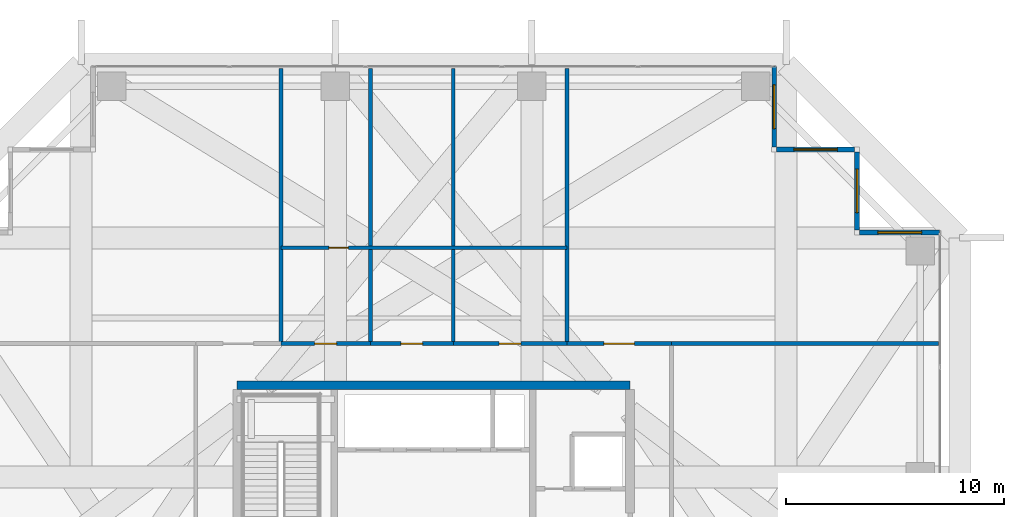
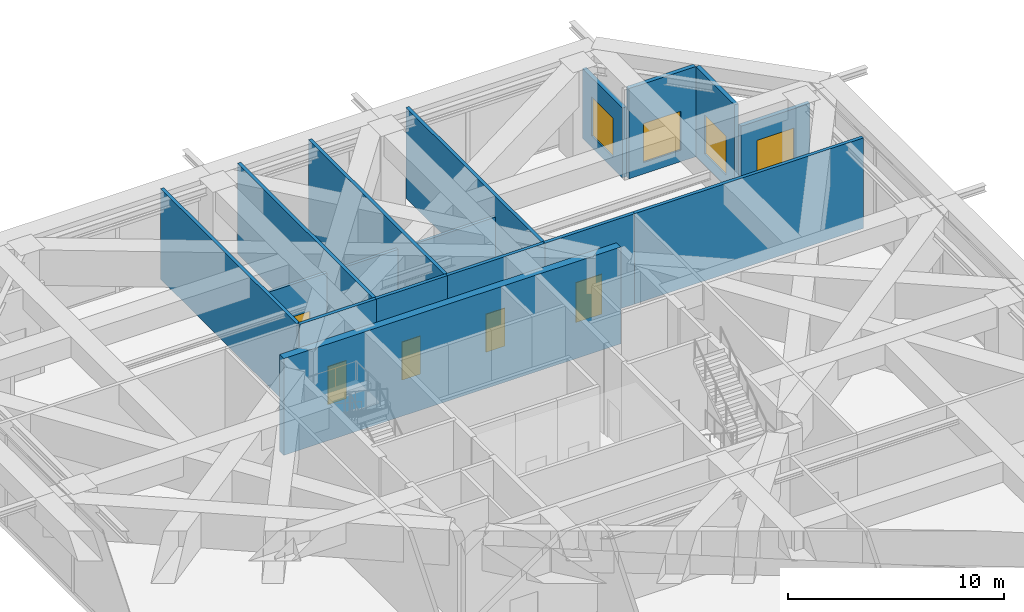
# One storey, part 33 of 38: 15 walls, 5 doors, 4 windows, 9 openings.
"""IFC4 building model written with IfcOpenShell, lengths in metres."""

from ifc_helpers import new_model, si_unit, direction, frame, frame_2d, origin, place, context, subcontext, project, spatial, rectangle, extrude, source, transform, mapped, material, layer, layer_set, type_object, element, fill, save


model = new_model("IFC4")

# Units and contexts
model_context = context("Model", 3, precision=1e-05, world=origin(), true_north=direction((0.0, 1.0)))
body_context = subcontext(model_context, "Body", "Model", "MODEL_VIEW")
ifc_project = project(units=[si_unit("LENGTHUNIT", "METRE"), si_unit("AREAUNIT", "SQUARE_METRE"), si_unit("VOLUMEUNIT", "CUBIC_METRE"), si_unit("PLANEANGLEUNIT", "RADIAN"), si_unit("MASSUNIT", "GRAM", prefix="KILO")], contexts=[model_context])

# Site, building, storey
site_placement = place(None, origin())
site = spatial("IfcSite", under=ifc_project, at=site_placement, CompositionType="ELEMENT")
building_placement = place(site_placement, origin())
building = spatial("IfcBuilding", under=site, at=building_placement, Name="Serunith Strait Residences", CompositionType="ELEMENT")
storey_placement = place(building_placement, frame((0.0, 0.0, 204.89990234375)))
storey = spatial("IfcBuildingStorey", under=building, at=storey_placement, Name="L51", CompositionType="ELEMENT", Elevation=204.89990234375)

# Wall, opening, window
ifc_material_1 = material(Name="Pale-Champagne Aluminium Insulated Panel", Category="aluminium")
ifc_layer_1 = layer(ifc_material_1, 0.219970703125, Name="Pale-Champagne Aluminium Insulated Panel")
ifc_layer_set_1 = layer_set([ifc_layer_1], Name="Pale-Champagne Aluminium Insulated Panel")
wall_type_1 = type_object("IfcWallType", Name="EW-ALUM-220", PredefinedType="ELEMENTEDWALL", material=ifc_layer_set_1)
wall_1_placement = place(storey_placement, frame((55.60009765625, 40.60009765625, 0.0), z_axis=(0.0, 0.0, 1.0), x_axis=(-1.0, 0.0, 0.0)))
wall_1 = element("IfcWall", 1, at=wall_1_placement, inside=storey, type_object=wall_type_1, Name="L51 Girih Serrated Corner Wall 07", PredefinedType="ELEMENTEDWALL", context=body_context, shape_type="SweptSolid", body=[
    extrude(rectangle(XDim=3.690185546875, YDim=0.219970703125, at=frame_2d((1.84521484375, 0.0))), origin(), (0.0, 0.0, 1.0), 3.945068359375),
])
opening_1_placement = place(wall_1_placement, frame((0.844970703125, 0.0, 0.64990234375)))
opening_1 = element("IfcOpeningElement", 2, at=opening_1_placement, cuts=wall_1, Name="Opening W-04", PredefinedType="OPENING", context=body_context, shape_type="SweptSolid", body=[
    extrude(rectangle(XDim=2.0, YDim=2.199951171875, at=frame_2d((1.0, 1.10009765625))), frame((0.0, 0.1201171875, 0.0), z_axis=(0.0, -1.0, 0.0), x_axis=(1.0, 0.0, 0.0)), (0.0, 0.0, 1.0), 0.239990234375),
])
ifc_material_2 = material(Name="Ceramic-Fritted Operable Aluminium Window Glass", Category="aluminium")
window_type = type_object("IfcWindowType", Name="WIN-C4", PartitioningType="TRIPLE_PANEL_VERTICAL", PredefinedType="WINDOW", material=ifc_material_2)
shared_shape_1 = source(origin(), body_context, "Body", "SweptSolid", [
    extrude(rectangle(XDim=2.0, YDim=2.199951171875, at=frame_2d((1.0, 1.10009765625))), frame((0.0, 0.030029296875, 0.0), z_axis=(0.0, -1.0, 0.0), x_axis=(1.0, 0.0, 0.0)), (0.0, 0.0, 1.0), 0.06005859375),
])
window_1_placement = place(opening_1_placement, origin())
window_1 = element("IfcWindow", 3, at=window_1_placement, inside=storey, type_object=window_type, Name="L51 Corner Operable Fritted Window 07", OverallHeight=2.199951171875, OverallWidth=2.0, PartitioningType="SINGLE_PANEL", PredefinedType="WINDOW", context=body_context, shape_type="MappedRepresentation", body=[
    mapped(shared_shape_1, transform((0.0, 0.0, 0.0), scale=1.0)),
])
fill(opening_1, window_1)

wall_2_placement = place(storey_placement, frame((51.800048828125, 40.7099609375, 0.0), z_axis=(0.0, 0.0, 1.0), x_axis=(0.0, 1.0, 0.0)))
wall_2 = element("IfcWall", 4, at=wall_2_placement, inside=storey, type_object=wall_type_1, Name="L51 Girih Serrated Corner Wall 08", PredefinedType="ELEMENTEDWALL", context=body_context, shape_type="SweptSolid", body=[
    extrude(rectangle(XDim=3.580078125, YDim=0.219970703125, at=frame_2d((1.7900390625, 0.0))), origin(), (0.0, 0.0, 1.0), 5.09521484375),
])
opening_2_placement = place(wall_2_placement, frame((0.7900390625, 0.0, 0.64990234375)))
opening_2 = element("IfcOpeningElement", 5, at=opening_2_placement, cuts=wall_2, Name="Opening W-04", PredefinedType="OPENING", context=body_context, shape_type="SweptSolid", body=[
    extrude(rectangle(XDim=2.0, YDim=2.199951171875, at=frame_2d((1.0, 1.10009765625))), frame((0.0, 0.1201171875, 0.0), z_axis=(0.0, -1.0, 0.0), x_axis=(1.0, 0.0, 0.0)), (0.0, 0.0, 1.0), 0.239990234375),
])
window_2_placement = place(opening_2_placement, origin())
window_2 = element("IfcWindow", 6, at=window_2_placement, inside=storey, type_object=window_type, Name="L51 Corner Operable Fritted Window 08", OverallHeight=2.199951171875, OverallWidth=2.0, PartitioningType="SINGLE_PANEL", PredefinedType="WINDOW", context=body_context, shape_type="MappedRepresentation", body=[
    mapped(shared_shape_1, transform((0.0, 0.0, 0.0), scale=1.0)),
])
fill(opening_2, window_2)

wall_3_placement = place(storey_placement, frame((51.68994140625, 44.39990234375, 0.0), z_axis=(0.0, 0.0, 1.0), x_axis=(-1.0, 0.0, 0.0)))
wall_3 = element("IfcWall", 7, at=wall_3_placement, inside=storey, type_object=wall_type_1, Name="L51 Girih Serrated Corner Wall 09", PredefinedType="ELEMENTEDWALL", context=body_context, shape_type="SweptSolid", body=[
    extrude(rectangle(XDim=3.579833984375, YDim=0.219970703125, at=frame_2d((1.7900390625, 0.0))), origin(), (0.0, 0.0, 1.0), 5.09521484375),
])
opening_3_placement = place(wall_3_placement, frame((0.7900390625, 0.0, 0.64990234375)))
opening_3 = element("IfcOpeningElement", 8, at=opening_3_placement, cuts=wall_3, Name="Opening W-04", PredefinedType="OPENING", context=body_context, shape_type="SweptSolid", body=[
    extrude(rectangle(XDim=2.0, YDim=2.199951171875, at=frame_2d((1.0, 1.10009765625))), frame((0.0, 0.1201171875, 0.0), z_axis=(0.0, -1.0, 0.0), x_axis=(1.0, 0.0, 0.0)), (0.0, 0.0, 1.0), 0.239990234375),
])
window_3_placement = place(opening_3_placement, origin())
window_3 = element("IfcWindow", 9, at=window_3_placement, inside=storey, type_object=window_type, Name="L51 Corner Operable Fritted Window 09", OverallHeight=2.199951171875, OverallWidth=2.0, PartitioningType="SINGLE_PANEL", PredefinedType="WINDOW", context=body_context, shape_type="MappedRepresentation", body=[
    mapped(shared_shape_1, transform((0.0, 0.0, 0.0), scale=1.0)),
])
fill(opening_3, window_3)

wall_4_placement = place(storey_placement, frame((48.0, 44.510009765625, 0.0), z_axis=(0.0, 0.0, 1.0), x_axis=(0.0, 1.0, 0.0)))
wall_4 = element("IfcWall", 10, at=wall_4_placement, inside=storey, type_object=wall_type_1, Name="L51 Girih Serrated Corner Wall 10", PredefinedType="ELEMENTEDWALL", context=body_context, shape_type="SweptSolid", body=[
    extrude(rectangle(XDim=3.68994140625, YDim=0.219970703125, at=frame_2d((1.844970703125, 0.0))), origin(), (0.0, 0.0, 1.0), 3.945068359375),
])
opening_4_placement = place(wall_4_placement, frame((0.844970703125, 0.0, 0.64990234375)))
opening_4 = element("IfcOpeningElement", 11, at=opening_4_placement, cuts=wall_4, Name="Opening W-04", PredefinedType="OPENING", context=body_context, shape_type="SweptSolid", body=[
    extrude(rectangle(XDim=2.0, YDim=2.199951171875, at=frame_2d((1.0, 1.10009765625))), frame((0.0, 0.1201171875, 0.0), z_axis=(0.0, -1.0, 0.0), x_axis=(1.0, 0.0, 0.0)), (0.0, 0.0, 1.0), 0.239990234375),
])
window_4_placement = place(opening_4_placement, origin())
window_4 = element("IfcWindow", 12, at=window_4_placement, inside=storey, type_object=window_type, Name="L51 Corner Operable Fritted Window 10", OverallHeight=2.199951171875, OverallWidth=2.0, PartitioningType="SINGLE_PANEL", PredefinedType="WINDOW", context=body_context, shape_type="MappedRepresentation", body=[
    mapped(shared_shape_1, transform((0.0, 0.0, 0.0), scale=1.0)),
])
fill(opening_4, window_4)

# Wall, opening, door
ifc_material_3 = material(Name="Fire-rated masonry service closet wall", Category="masonry")
ifc_layer_2 = layer(ifc_material_3, 0.14990234375, Name="Fire-rated masonry service closet wall")
ifc_layer_set_2 = layer_set([ifc_layer_2], Name="Fire-rated masonry service closet wall")
wall_type_2 = type_object("IfcWallType", Name="IW-BOH-150", PredefinedType="PARTITIONING", material=ifc_layer_set_2)
wall_5_placement = place(storey_placement, frame((25.39990234375, 39.89990234375, 0.0), z_axis=(0.0, 0.0, 1.0), x_axis=(1.0, 0.0, 0.0)))
wall_5 = element("IfcWall", 13, at=wall_5_placement, inside=storey, type_object=wall_type_2, Name="L51 Partition Wall 034", PredefinedType="PARTITIONING", context=body_context, shape_type="SweptSolid", body=[
    extrude(rectangle(XDim=13.10009765625, YDim=0.14990234375, at=frame_2d((6.550048828125, 0.0))), origin(), (0.0, 0.0, 1.0), 3.945068359375),
])
opening_5_placement = place(wall_5_placement, frame((2.196044921875, 0.0, 0.0)))
opening_5 = element("IfcOpeningElement", 14, at=opening_5_placement, cuts=wall_5, Name="Opening FD-900", PredefinedType="OPENING", context=body_context, shape_type="SweptSolid", body=[
    extrude(rectangle(XDim=0.89990234375, YDim=2.10009765625, at=frame_2d((0.449951171875, 1.050048828125))), frame((0.0, 0.0849609375, 0.0), z_axis=(0.0, -1.0, 0.0), x_axis=(1.0, 0.0, 0.0)), (0.0, 0.0, 1.0), 0.169921875),
])
ifc_material_4 = material(Name="Powder-coated steel riser door", Category="steel")
door_type_1 = type_object("IfcDoorType", Name="FD-BOH-900", OperationType="NOTDEFINED", PredefinedType="DOOR", material=ifc_material_4)
shared_shape_2 = source(origin(), body_context, "Body", "SweptSolid", [
    extrude(rectangle(XDim=0.89990234375, YDim=2.10009765625, at=frame_2d((0.449951171875, 1.050048828125))), frame((0.0, 0.02490234375, 0.0), z_axis=(0.0, -1.0, 0.0), x_axis=(1.0, 0.0, 0.0)), (0.0, 0.0, 1.0), 0.050048828125),
])
door_1_placement = place(opening_5_placement, origin())
door_1 = element("IfcDoor", 15, at=door_1_placement, inside=storey, type_object=door_type_1, Name="L51 Linen Store Door", OperationType="SINGLE_SWING_LEFT", OverallHeight=2.10009765625, OverallWidth=0.89990234375, PredefinedType="DOOR", context=body_context, shape_type="MappedRepresentation", body=[
    mapped(shared_shape_2, transform((0.0, 0.0, 0.0), scale=1.0)),
])
fill(opening_5, door_1)

# Walls
ifc_material_5 = material(Name="Fire-rated acoustic gypsum partition")
ifc_layer_3 = layer(ifc_material_5, 0.179931640625, Name="Fire-rated acoustic gypsum partition")
ifc_layer_set_3 = layer_set([ifc_layer_3], Name="Fire-rated acoustic gypsum partition")
wall_type_3 = type_object("IfcWallType", Name="IW-CORR-180", PredefinedType="PARTITIONING", material=ifc_layer_set_3)
wall_6_placement = place(storey_placement, frame((43.300048828125, 35.5, 0.0), z_axis=(0.0, 0.0, 1.0), x_axis=(1.0, 0.0, 0.0)))
element("IfcWall", 16, at=wall_6_placement, inside=storey, type_object=wall_type_3, Name="L51 Partition Wall 017", PredefinedType="PARTITIONING", context=body_context, shape_type="SweptSolid", body=[
    extrude(rectangle(XDim=12.218017578125, YDim=0.179931640625, at=frame_2d((6.10888671875, 0.0))), origin(), (0.0, 0.0, 1.0), 5.110107421875),
])
for number, where, z_axis, x_axis, name in (
    (17, (25.39990234375, 35.5, 0.0), (0.0, 0.0, 1.0), (0.0, 1.0, 0.0), "L51 Partition Wall 022"),
    (18, (29.5, 35.5, 0.0), (0.0, 0.0, 1.0), (0.0, 1.0, 0.0), "L51 Partition Wall 023"),
    (19, (33.300048828125, 35.5, 0.0), (0.0, 0.0, 1.0), (0.0, 1.0, 0.0), "L51 Partition Wall 024"),
    (20, (38.5, 35.5, 0.0), (0.0, 0.0, 1.0), (0.0, 1.0, 0.0), "L51 Partition Wall 025"),
):
    element("IfcWall", number, at=place(storey_placement, frame(where, z_axis=z_axis, x_axis=x_axis)), inside=storey, type_object=wall_type_3, Name=name, PredefinedType="PARTITIONING", context=body_context, shape_type="SweptSolid", body=[
        extrude(rectangle(XDim=12.617919921875, YDim=0.179931640625, at=frame_2d((6.30908203125, 0.0))), origin(), (0.0, 0.0, 1.0), 5.110107421875),
    ])

# Wall, opening, door
wall_7_placement = place(storey_placement, frame((25.402099609375, 35.5, 0.0), z_axis=(0.0, 0.0, 1.0), x_axis=(1.0, 0.0, 0.0)))
wall_7 = element("IfcWall", 21, at=wall_7_placement, inside=storey, type_object=wall_type_3, Name="L51 Partition Wall 030", PredefinedType="PARTITIONING", context=body_context, shape_type="SweptSolid", body=[
    extrude(rectangle(XDim=4.097900390625, YDim=0.179931640625, at=frame_2d((2.048828125, 0.0))), origin(), (0.0, 0.0, 1.0), 5.110107421875),
])
opening_6_placement = place(wall_7_placement, frame((1.549072265625, 0.0, 0.0)))
opening_6 = element("IfcOpeningElement", 22, at=opening_6_placement, cuts=wall_7, Name="Opening D-APT1000", PredefinedType="OPENING", context=body_context, shape_type="SweptSolid", body=[
    extrude(rectangle(XDim=1.0, YDim=2.14990234375, at=frame_2d((0.5, 1.074951171875))), frame((0.0, 0.10009765625, 0.0), z_axis=(0.0, -1.0, 0.0), x_axis=(1.0, 0.0, 0.0)), (0.0, 0.0, 1.0), 0.199951171875),
])
ifc_material_6 = material(Name="Solid timber engineered fire door", Category="wood")
door_type_2 = type_object("IfcDoorType", Name="ID-APT-1000", OperationType="NOTDEFINED", PredefinedType="DOOR", material=ifc_material_6)
shared_shape_3 = source(origin(), body_context, "Body", "SweptSolid", [
    extrude(rectangle(XDim=1.0, YDim=2.14990234375, at=frame_2d((0.5, 1.074951171875))), frame((0.0, 0.02490234375, 0.0), z_axis=(0.0, -1.0, 0.0), x_axis=(1.0, 0.0, 0.0)), (0.0, 0.0, 1.0), 0.050048828125),
])
door_2_placement = place(opening_6_placement, origin())
door_2 = element("IfcDoor", 23, at=door_2_placement, inside=storey, type_object=door_type_2, Name="L51 Accessible WC Door", OperationType="SINGLE_SWING_LEFT", OverallHeight=2.14990234375, OverallWidth=1.0, PredefinedType="DOOR", context=body_context, shape_type="MappedRepresentation", body=[
    mapped(shared_shape_3, transform((0.0, 0.0, 0.0), scale=1.0)),
])
fill(opening_6, door_2)

wall_8_placement = place(storey_placement, frame((29.501953125, 35.5, 0.0), z_axis=(0.0, 0.0, 1.0), x_axis=(1.0, 0.0, 0.0)))
wall_8 = element("IfcWall", 24, at=wall_8_placement, inside=storey, type_object=wall_type_3, Name="L51 Partition Wall 031", PredefinedType="PARTITIONING", context=body_context, shape_type="SweptSolid", body=[
    extrude(rectangle(XDim=3.798095703125, YDim=0.179931640625, at=frame_2d((1.89892578125, 0.0))), origin(), (0.0, 0.0, 1.0), 5.110107421875),
])
opening_7_placement = place(wall_8_placement, frame((1.39892578125, 0.0, 0.0)))
opening_7 = element("IfcOpeningElement", 25, at=opening_7_placement, cuts=wall_8, Name="Opening D-APT1000", PredefinedType="OPENING", context=body_context, shape_type="SweptSolid", body=[
    extrude(rectangle(XDim=1.0, YDim=2.14990234375, at=frame_2d((0.5, 1.074951171875))), frame((0.0, 0.10009765625, 0.0), z_axis=(0.0, -1.0, 0.0), x_axis=(1.0, 0.0, 0.0)), (0.0, 0.0, 1.0), 0.199951171875),
])
door_3_placement = place(opening_7_placement, origin())
door_3 = element("IfcDoor", 26, at=door_3_placement, inside=storey, type_object=door_type_2, Name="L51 Public Male WC Door", OperationType="SINGLE_SWING_RIGHT", OverallHeight=2.14990234375, OverallWidth=1.0, PredefinedType="DOOR", context=body_context, shape_type="MappedRepresentation", body=[
    mapped(shared_shape_3, transform((0.0, 0.0, 0.0), scale=1.0)),
])
fill(opening_7, door_3)

wall_9_placement = place(storey_placement, frame((33.302001953125, 35.5, 0.0), z_axis=(0.0, 0.0, 1.0), x_axis=(1.0, 0.0, 0.0)))
wall_9 = element("IfcWall", 27, at=wall_9_placement, inside=storey, type_object=wall_type_3, Name="L51 Partition Wall 032", PredefinedType="PARTITIONING", context=body_context, shape_type="SweptSolid", body=[
    extrude(rectangle(XDim=5.197998046875, YDim=0.179931640625, at=frame_2d((2.59912109375, 0.0))), origin(), (0.0, 0.0, 1.0), 5.110107421875),
])
opening_8_placement = place(wall_9_placement, frame((2.09912109375, 0.0, 0.0)))
opening_8 = element("IfcOpeningElement", 28, at=opening_8_placement, cuts=wall_9, Name="Opening D-APT1000", PredefinedType="OPENING", context=body_context, shape_type="SweptSolid", body=[
    extrude(rectangle(XDim=1.0, YDim=2.14990234375, at=frame_2d((0.5, 1.074951171875))), frame((0.0, 0.10009765625, 0.0), z_axis=(0.0, -1.0, 0.0), x_axis=(1.0, 0.0, 0.0)), (0.0, 0.0, 1.0), 0.199951171875),
])
door_4_placement = place(opening_8_placement, origin())
door_4 = element("IfcDoor", 29, at=door_4_placement, inside=storey, type_object=door_type_2, Name="L51 Public Female WC Door", OperationType="SINGLE_SWING_LEFT", OverallHeight=2.14990234375, OverallWidth=1.0, PredefinedType="DOOR", context=body_context, shape_type="MappedRepresentation", body=[
    mapped(shared_shape_3, transform((0.0, 0.0, 0.0), scale=1.0)),
])
fill(opening_8, door_4)

wall_10_placement = place(storey_placement, frame((38.501953125, 35.5, 0.0), z_axis=(0.0, 0.0, 1.0), x_axis=(1.0, 0.0, 0.0)))
wall_10 = element("IfcWall", 30, at=wall_10_placement, inside=storey, type_object=wall_type_3, Name="L51 Partition Wall 033", PredefinedType="PARTITIONING", context=body_context, shape_type="SweptSolid", body=[
    extrude(rectangle(XDim=4.796142578125, YDim=0.179931640625, at=frame_2d((2.39794921875, 0.0))), origin(), (0.0, 0.0, 1.0), 5.110107421875),
])
opening_9_placement = place(wall_10_placement, frame((1.697998046875, 0.0, 0.0)))
opening_9 = element("IfcOpeningElement", 31, at=opening_9_placement, cuts=wall_10, Name="Opening D-POD1400", PredefinedType="OPENING", context=body_context, shape_type="SweptSolid", body=[
    extrude(rectangle(XDim=1.39990234375, YDim=2.25, at=frame_2d((0.699951171875, 1.125))), frame((0.0, 0.10009765625, 0.0), z_axis=(0.0, -1.0, 0.0), x_axis=(1.0, 0.0, 0.0)), (0.0, 0.0, 1.0), 0.199951171875),
])
ifc_material_7 = material(Name="Pale-champagne aluminium glazed suite door", Category="aluminium")
door_type_3 = type_object("IfcDoorType", Name="ID-POD-1400", OperationType="DOUBLE_DOOR_SINGLE_SWING", PredefinedType="DOOR", material=ifc_material_7)
shared_shape_4 = source(origin(), body_context, "Body", "SweptSolid", [
    extrude(rectangle(XDim=1.39990234375, YDim=2.25, at=frame_2d((0.699951171875, 1.125))), frame((0.0, 0.02490234375, 0.0), z_axis=(0.0, -1.0, 0.0), x_axis=(1.0, 0.0, 0.0)), (0.0, 0.0, 1.0), 0.050048828125),
])
door_5_placement = place(opening_9_placement, origin())
door_5 = element("IfcDoor", 32, at=door_5_placement, inside=storey, type_object=door_type_3, Name="L51 North-East Room Door", OperationType="DOUBLE_DOOR_SINGLE_SWING", OverallHeight=2.25, OverallWidth=1.39990234375, PredefinedType="DOOR", context=body_context, shape_type="MappedRepresentation", body=[
    mapped(shared_shape_4, transform((0.0, 0.0, 0.0), scale=1.0)),
])
fill(opening_9, door_5)

# Wall
ifc_material_8 = material(Name="Concrete C70/85", Category="concrete")
ifc_layer_4 = layer(ifc_material_8, 0.39990234375, Name="Concrete C70/85")
ifc_layer_set_4 = layer_set([ifc_layer_4], Name="Concrete C70/85")
wall_type_4 = type_object("IfcWallType", Name="SW-400-C70", PredefinedType="SHEAR", material=ifc_layer_set_4)
wall_11_placement = place(storey_placement, frame((41.39990234375, 33.60009765625, -0.35986328125), z_axis=(0.0, 0.0, 1.0), x_axis=(-1.0, 0.0, 0.0)))
element("IfcWall", 33, at=wall_11_placement, inside=storey, type_object=wall_type_4, Name="L51 Core North Shear Wall", PredefinedType="SHEAR", context=body_context, shape_type="SweptSolid", body=[
    extrude(rectangle(XDim=18.0, YDim=0.39990234375, at=frame_2d((9.0, 0.0))), origin(), (0.0, 0.0, 1.0), 5.468017578125),
])

save(model, "model.ifc")
